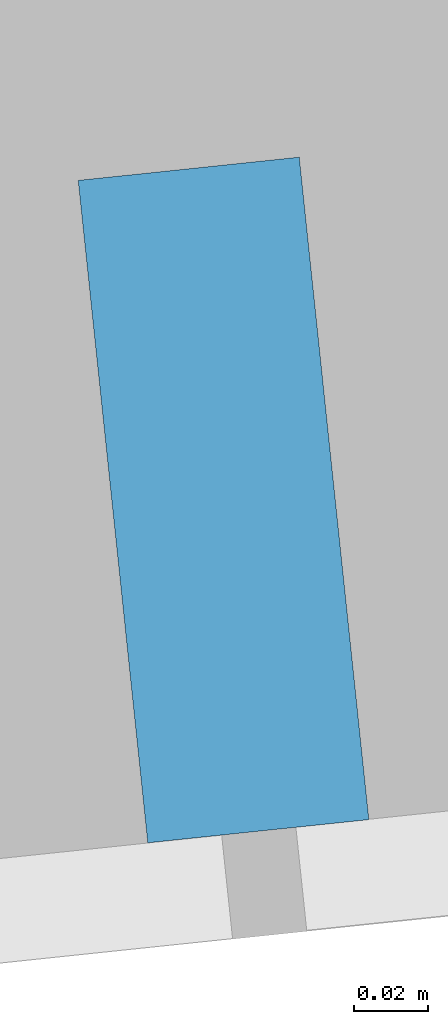
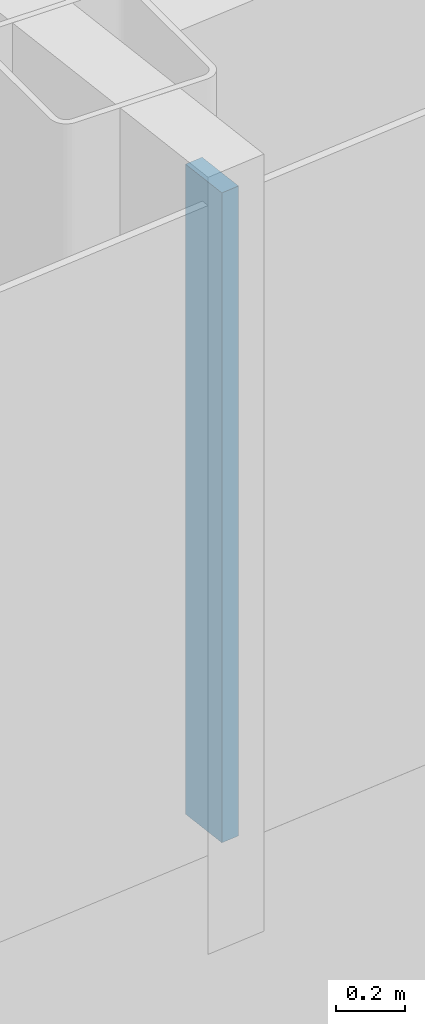
# One storey, part 7 of 27: 1 member, 1 element without a shape of its own.
"""IFC4 building model written with IfcOpenShell, lengths in metres."""

from ifc_helpers import new_model, si_unit, direction, frame, origin, origin_2d, place, context, subcontext, project, spatial, rectangle, extrude, material, layer, layer_set, material_profile, profile_set, type_object, element, aggregate, save


model = new_model("IFC4")

# Units and contexts
model_context = context("Model", 3, precision=1e-05, world=origin(), true_north=direction((0.0, 1.0)))
body_context = subcontext(model_context, "Body", "Model", "MODEL_VIEW")
ifc_project = project(units=[si_unit("LENGTHUNIT", "METRE"), si_unit("AREAUNIT", "SQUARE_METRE"), si_unit("VOLUMEUNIT", "CUBIC_METRE"), si_unit("PLANEANGLEUNIT", "RADIAN"), si_unit("MASSUNIT", "GRAM", prefix="KILO")], contexts=[model_context])

# Site, building, storey
site_placement = place(None, origin())
site = spatial("IfcSite", under=ifc_project, at=site_placement, CompositionType="ELEMENT")
building_placement = place(site_placement, origin())
building = spatial("IfcBuilding", under=site, at=building_placement, Name="Hakoniwa Tower and Hamabe Station Hall", CompositionType="ELEMENT")
storey_placement = place(building_placement, frame((0.0, 0.0, 261.39990234375)))
storey = spatial("IfcBuildingStorey", under=building, at=storey_placement, Name="L74", CompositionType="ELEMENT", Elevation=261.39990234375)

# Curtain wall, member
ifc_material_1 = material(Name="Dark low-e laminated glass", Category="glass")
ifc_layer = layer(ifc_material_1, 0.199951171875)
ifc_layer_set = layer_set([ifc_layer], Name="CW-1 UNITISED GUEST")
curtain_wall_type = type_object("IfcCurtainWallType", Name="CW-1 UNITISED GUEST", PredefinedType="NOTDEFINED", material=ifc_layer_set)
curtain_wall_placement = place(storey_placement, origin())
curtain_wall = element("IfcCurtainWall", 1, at=curtain_wall_placement, inside=storey, type_object=curtain_wall_type, Name="CW-1 curtain wall", PredefinedType="NOTDEFINED")
ifc_material_2 = material(Name="Aluminium 6063-T5 black anodised", Category="aluminium")
ifc_material_profile = material_profile(ifc_material_2, rectangle(XDim=0.06005859375, YDim=0.179931640625, at=origin_2d()), Name="CW-1 MULLION 60X180")
ifc_profile_set = profile_set([ifc_material_profile], Name="Aluminium 6063-T5 black anodised")
member_type = type_object("IfcMemberType", Name="CW-1 MULLION 60X180", PredefinedType="MULLION", material=ifc_profile_set)
member_placement = place(storey_placement, frame((18.50390625, -12.831787109375, 0.35009765625), z_axis=(0.0, 0.0, 1.0), x_axis=(0.994521895272, 0.104528464188, 0.0)))
member = element("IfcMember", 2, at=member_placement, type_object=member_type, Name="CW-1 mullion", PredefinedType="MULLION", context=body_context, shape_type="SweptSolid", body=[
    extrude(rectangle(XDim=0.06005859375, YDim=0.179931640625, at=origin_2d()), origin(), (0.0, 0.0, 1.0), 2.300048828125),
])
aggregate(curtain_wall, [member])

save(model, "model.ifc")
